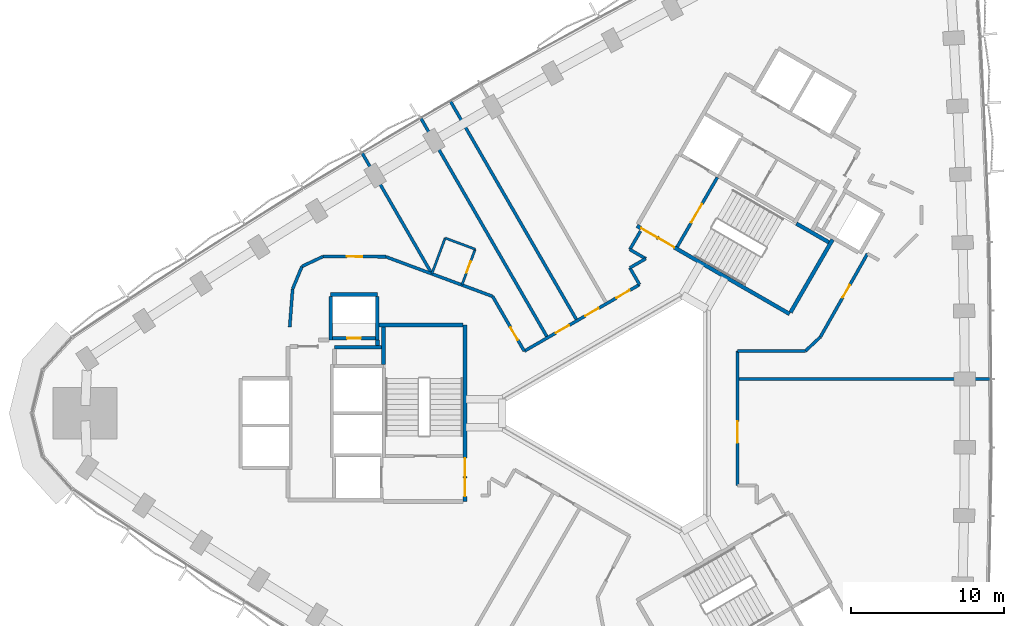
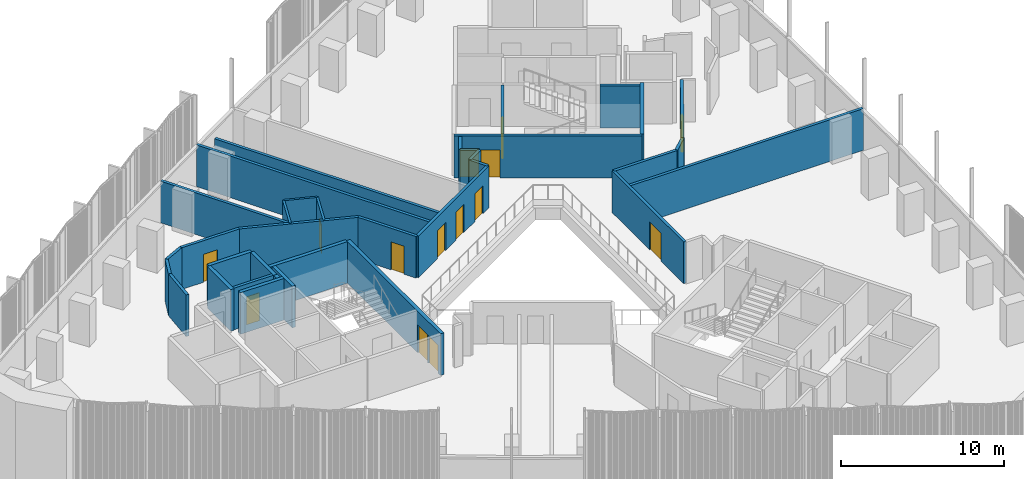
# One storey, part 9 of 15: 35 walls, 14 doors, 14 openings.
"""IFC4 building model written with IfcOpenShell, lengths in metres."""

from ifc_helpers import new_model, si_unit, direction, frame, frame_2d, origin, place, context, subcontext, project, spatial, rectangle, extrude, material, layer, layer_set, type_object, element, fill, save


model = new_model("IFC4")

# Units and contexts
model_context = context("Model", 3, precision=1e-05, world=origin(), true_north=direction((0.0, 1.0)))
body_context = subcontext(model_context, "Body", "Model", "MODEL_VIEW")
ifc_project = project(units=[si_unit("LENGTHUNIT", "METRE"), si_unit("AREAUNIT", "SQUARE_METRE"), si_unit("VOLUMEUNIT", "CUBIC_METRE"), si_unit("PLANEANGLEUNIT", "RADIAN"), si_unit("MASSUNIT", "GRAM", prefix="KILO")], contexts=[model_context])

# Site, building, storey
site_placement = place(None, origin())
site = spatial("IfcSite", under=ifc_project, at=site_placement, CompositionType="ELEMENT")
building_placement = place(site_placement, origin())
building = spatial("IfcBuilding", under=site, at=building_placement, Name="Tamra Quay Hotel Tower", CompositionType="ELEMENT")
storey_placement = place(building_placement, frame((0.0, 0.0, 67.39990234375)))
storey = spatial("IfcBuildingStorey", under=building, at=storey_placement, Name="L15", CompositionType="ELEMENT", Elevation=67.39990234375)

# Wall, opening, door
ifc_material_1 = material(Name="Concrete M70", Category="concrete")
ifc_layer_1 = layer(ifc_material_1, 0.199951171875)
ifc_layer_set_1 = layer_set([ifc_layer_1], Name="Concrete M70 core wall 200")
wall_type_1 = type_object("IfcWallType", Name="Concrete M70 core wall 200", PredefinedType="SHEAR", material=ifc_layer_set_1)
wall_1_placement = place(storey_placement, frame((-19.51123046875, 4.91015625, 0.0), z_axis=(0.0, 0.0, 1.0), x_axis=(1.0, 0.0, 0.0)))
wall_1 = element("IfcWall", 1, at=wall_1_placement, inside=storey, type_object=wall_type_1, Name="CW2", PredefinedType="SHEAR", context=body_context, shape_type="SweptSolid", body=[
    extrude(rectangle(XDim=2.7978515625, YDim=0.199951171875, at=frame_2d((1.39892578125, 0.0))), origin(), (0.0, 0.0, 1.0), 3.125),
])
opening_1_placement = place(wall_1_placement, frame((0.948974609375, 0.0, 0.0)))
opening_1 = element("IfcOpeningElement", 2, at=opening_1_placement, cuts=wall_1, Name="Opening D1", PredefinedType="OPENING", context=body_context, shape_type="SweptSolid", body=[
    extrude(rectangle(XDim=0.89990234375, YDim=2.10009765625, at=frame_2d((0.449951171875, 1.050048828125))), frame((0.0, 0.10986328125, 0.0), z_axis=(0.0, -1.0, 0.0), x_axis=(1.0, 0.0, 0.0)), (0.0, 0.0, 1.0), 0.219970703125),
])
ifc_material_2 = material(Name="Core door D1 900x2100 RH")
door_type_1 = type_object("IfcDoorType", Name="Core door D1 900x2100 RH", OperationType="NOTDEFINED", PredefinedType="DOOR", material=ifc_material_2)
door_1_placement = place(opening_1_placement, origin())
door_1 = element("IfcDoor", 3, at=door_1_placement, inside=storey, type_object=door_type_1, Name="D1", OperationType="SINGLE_SWING_RIGHT", OverallHeight=2.10009765625, OverallWidth=0.89990234375, PredefinedType="DOOR", context=body_context, shape_type="SweptSolid", body=[
    extrude(rectangle(XDim=0.89990234375, YDim=2.10009765625, at=frame_2d((0.449951171875, 1.050048828125))), frame((0.0, 0.02490234375, 0.0), z_axis=(0.0, -1.0, 0.0), x_axis=(1.0, 0.0, 0.0)), (0.0, 0.0, 1.0), 0.050048828125),
])
fill(opening_1, door_1)

wall_2_placement = place(storey_placement, frame((3.056640625, 10.89453125, 0.0), z_axis=(0.0, 0.0, 1.0), x_axis=(0.499989418164, 0.866031513124, 0.0)))
wall_2 = element("IfcWall", 4, at=wall_2_placement, inside=storey, type_object=wall_type_1, Name="CW2", PredefinedType="SHEAR", context=body_context, shape_type="SweptSolid", body=[
    extrude(rectangle(XDim=5.2509765625, YDim=0.199951171875, at=frame_2d((2.62548828125, 0.0))), origin(), (0.0, 0.0, 1.0), 3.125),
])
opening_2_placement = place(wall_2_placement, frame((1.84912109375, 0.0, 0.0)))
opening_2 = element("IfcOpeningElement", 5, at=opening_2_placement, cuts=wall_2, Name="Opening FD2", PredefinedType="OPENING", context=body_context, shape_type="SweptSolid", body=[
    extrude(rectangle(XDim=1.39990234375, YDim=2.10009765625, at=frame_2d((0.699951171875, 1.050048828125))), frame((0.0, 0.10986328125, 0.0), z_axis=(0.0, -1.0, 0.0), x_axis=(1.0, 0.0, 0.0)), (0.0, 0.0, 1.0), 0.219970703125),
])
ifc_material_3 = material(Name="Core door FD2 1400x2100 LH")
door_type_2 = type_object("IfcDoorType", Name="Core door FD2 1400x2100 LH", OperationType="NOTDEFINED", PredefinedType="DOOR", material=ifc_material_3)
door_2_placement = place(opening_2_placement, origin())
door_2 = element("IfcDoor", 6, at=door_2_placement, inside=storey, type_object=door_type_2, Name="FD2", OperationType="SINGLE_SWING_LEFT", OverallHeight=2.10009765625, OverallWidth=1.39990234375, PredefinedType="DOOR", context=body_context, shape_type="SweptSolid", body=[
    extrude(rectangle(XDim=1.39990234375, YDim=2.10009765625, at=frame_2d((0.699951171875, 1.050048828125))), frame((0.0, 0.02490234375, 0.0), z_axis=(0.0, -1.0, 0.0), x_axis=(1.0, 0.0, 0.0)), (0.0, 0.0, 1.0), 0.050048828125),
])
fill(opening_2, door_2)

# Wall, openings, doors
ifc_layer_2 = layer(ifc_material_1, 0.25)
ifc_layer_set_2 = layer_set([ifc_layer_2], Name="Concrete M70 core wall 250")
wall_type_2 = type_object("IfcWallType", Name="Concrete M70 core wall 250", PredefinedType="SHEAR", material=ifc_layer_set_2)
wall_3_placement = place(storey_placement, frame((-10.83740234375, 5.77490234375, 0.0), z_axis=(0.0, 0.0, 1.0), x_axis=(0.0, -1.0, 0.0)))
wall_3 = element("IfcWall", 7, at=wall_3_placement, inside=storey, type_object=wall_type_2, Name="CW1", PredefinedType="SHEAR", context=body_context, shape_type="SweptSolid", body=[
    extrude(rectangle(XDim=11.5498046875, YDim=0.25, at=frame_2d((5.77490234375, 0.0))), origin(), (0.0, 0.0, 1.0), 3.125),
])
opening_3_placement = place(wall_3_placement, frame((10.02490234375, 0.0, 0.0)))
opening_3 = element("IfcOpeningElement", 8, at=opening_3_placement, cuts=wall_3, Name="Opening FD1", PredefinedType="OPENING", context=body_context, shape_type="SweptSolid", body=[
    extrude(rectangle(XDim=1.199951171875, YDim=2.10009765625, at=frame_2d((0.60009765625, 1.050048828125))), frame((0.0, 0.135009765625, 0.0), z_axis=(0.0, -1.0, 0.0), x_axis=(1.0, 0.0, 0.0)), (0.0, 0.0, 1.0), 0.27001953125),
])
opening_4_placement = place(wall_3_placement, frame((8.72509765625, 0.0, 0.0)))
opening_4 = element("IfcOpeningElement", 9, at=opening_4_placement, cuts=wall_3, Name="Opening FD1", PredefinedType="OPENING", context=body_context, shape_type="SweptSolid", body=[
    extrude(rectangle(XDim=1.199951171875, YDim=2.10009765625, at=frame_2d((0.60009765625, 1.050048828125))), frame((0.0, 0.135009765625, 0.0), z_axis=(0.0, -1.0, 0.0), x_axis=(1.0, 0.0, 0.0)), (0.0, 0.0, 1.0), 0.27001953125),
])
ifc_material_4 = material(Name="Core door FD1 1200x2100 LH")
door_type_3 = type_object("IfcDoorType", Name="Core door FD1 1200x2100 LH", OperationType="NOTDEFINED", PredefinedType="DOOR", material=ifc_material_4)
door_3_placement = place(opening_3_placement, origin())
door_3 = element("IfcDoor", 10, at=door_3_placement, inside=storey, type_object=door_type_3, Name="FD1", OperationType="SINGLE_SWING_LEFT", OverallHeight=2.10009765625, OverallWidth=1.199951171875, PredefinedType="DOOR", context=body_context, shape_type="SweptSolid", body=[
    extrude(rectangle(XDim=1.199951171875, YDim=2.10009765625, at=frame_2d((0.60009765625, 1.050048828125))), frame((0.0, 0.02490234375, 0.0), z_axis=(0.0, -1.0, 0.0), x_axis=(1.0, 0.0, 0.0)), (0.0, 0.0, 1.0), 0.050048828125),
])
fill(opening_3, door_3)
ifc_material_5 = material(Name="Core door FD1 1200x2100 RH")
door_type_4 = type_object("IfcDoorType", Name="Core door FD1 1200x2100 RH", OperationType="NOTDEFINED", PredefinedType="DOOR", material=ifc_material_5)
door_4_placement = place(opening_4_placement, origin())
door_4 = element("IfcDoor", 11, at=door_4_placement, inside=storey, type_object=door_type_4, Name="FD1", OperationType="SINGLE_SWING_RIGHT", OverallHeight=2.10009765625, OverallWidth=1.199951171875, PredefinedType="DOOR", context=body_context, shape_type="SweptSolid", body=[
    extrude(rectangle(XDim=1.199951171875, YDim=2.10009765625, at=frame_2d((0.60009765625, 1.050048828125))), frame((0.0, 0.02490234375, 0.0), z_axis=(0.0, -1.0, 0.0), x_axis=(1.0, 0.0, 0.0)), (0.0, 0.0, 1.0), 0.050048828125),
])
fill(opening_4, door_4)

# Walls
wall_4_placement = place(storey_placement, frame((-16.47216796875, 5.77490234375, 0.0), z_axis=(0.0, 0.0, 1.0), x_axis=(1.0, 0.0, 0.0)))
element("IfcWall", 12, at=wall_4_placement, inside=storey, type_object=wall_type_2, Name="CW1", PredefinedType="SHEAR", context=body_context, shape_type="SweptSolid", body=[
    extrude(rectangle(XDim=5.509521484375, YDim=0.25, at=frame_2d((2.7548828125, 0.0))), origin(), (0.0, 0.0, 1.0), 3.125),
])
wall_5_placement = place(storey_placement, frame((-19.63720703125, 7.77490234375, 0.0), z_axis=(0.0, 0.0, 1.0), x_axis=(1.0, 0.0, 0.0)))
element("IfcWall", 13, at=wall_5_placement, inside=storey, type_object=wall_type_2, Name="CW1", PredefinedType="SHEAR", context=body_context, shape_type="SweptSolid", body=[
    extrude(rectangle(XDim=3.0498046875, YDim=0.25, at=frame_2d((1.52490234375, 0.0))), origin(), (0.0, 0.0, 1.0), 3.125),
])
for number, where, z_axis, x_axis, name in (
    (14, (-16.58740234375, 7.649658203125, 0.0), (0.0, 0.0, 1.0), (0.0, -1.0, 0.0), "CW1"),
    (15, (-19.63720703125, 4.784912109375, 0.0), (0.0, 0.0, 1.0), (0.0, 1.0, 0.0), "CW1"),
):
    element("IfcWall", number, at=place(storey_placement, frame(where, z_axis=z_axis, x_axis=x_axis)), inside=storey, type_object=wall_type_2, Name=name, PredefinedType="SHEAR", context=body_context, shape_type="SweptSolid", body=[
        extrude(rectangle(XDim=2.86474609375, YDim=0.25, at=frame_2d((1.432373046875, 0.0))), origin(), (0.0, 0.0, 1.0), 3.125),
    ])
wall_6_placement = place(storey_placement, frame((-16.30224609375, 4.31494140625, 0.0), z_axis=(0.0, 0.0, 1.0), x_axis=(-1.0, 0.0, 0.0)))
element("IfcWall", 16, at=wall_6_placement, inside=storey, type_object=wall_type_2, Name="CW1", PredefinedType="SHEAR", context=body_context, shape_type="SweptSolid", body=[
    extrude(rectangle(XDim=3.0849609375, YDim=0.25, at=frame_2d((1.54248046875, 0.0))), origin(), (0.0, 0.0, 1.0), 3.125),
])
wall_7_placement = place(storey_placement, frame((-16.187255859375, 3.200439453125, 0.0), z_axis=(0.0, 0.0, 1.0), x_axis=(0.0, 1.0, 0.0)))
element("IfcWall", 17, at=wall_7_placement, inside=storey, type_object=wall_type_2, Name="CW1", PredefinedType="SHEAR", context=body_context, shape_type="SweptSolid", body=[
    extrude(rectangle(XDim=2.44921875, YDim=0.25, at=frame_2d((1.224609375, 0.0))), origin(), (0.0, 0.0, 1.0), 3.125),
])
wall_8_placement = place(storey_placement, frame((-16.577392578125, 4.784912109375, 0.0), z_axis=(0.0, 0.0, 1.0), x_axis=(0.0, -1.0, 0.0)))
element("IfcWall", 18, at=wall_8_placement, inside=storey, type_object=wall_type_2, Name="CW1", PredefinedType="SHEAR", context=body_context, shape_type="SweptSolid", body=[
    extrude(rectangle(XDim=0.344482421875, YDim=0.25, at=frame_2d((0.17236328125, 0.0))), origin(), (0.0, 0.0, 1.0), 3.125),
])

# Wall, openings, doors
wall_9_placement = place(storey_placement, frame((10.419921875, 6.497802734375, 0.0), z_axis=(0.0, 0.0, 1.0), x_axis=(-0.866021906294, 0.500006057782, 0.0)))
wall_9 = element("IfcWall", 19, at=wall_9_placement, inside=storey, type_object=wall_type_2, Name="CW1", PredefinedType="SHEAR", context=body_context, shape_type="SweptSolid", body=[
    extrude(rectangle(XDim=11.550048828125, YDim=0.25, at=frame_2d((5.77490234375, 0.0))), origin(), (0.0, 0.0, 1.0), 3.125),
])
opening_5_placement = place(wall_9_placement, frame((10.02490234375, 0.0, 0.0)))
opening_5 = element("IfcOpeningElement", 20, at=opening_5_placement, cuts=wall_9, Name="Opening FD1", PredefinedType="OPENING", context=body_context, shape_type="SweptSolid", body=[
    extrude(rectangle(XDim=1.199951171875, YDim=2.10009765625, at=frame_2d((0.60009765625, 1.050048828125))), frame((0.0, 0.135009765625, 0.0), z_axis=(0.0, -1.0, 0.0), x_axis=(1.0, 0.0, 0.0)), (0.0, 0.0, 1.0), 0.27001953125),
])
opening_6_placement = place(wall_9_placement, frame((8.724853515625, 0.0, 0.0)))
opening_6 = element("IfcOpeningElement", 21, at=opening_6_placement, cuts=wall_9, Name="Opening FD1", PredefinedType="OPENING", context=body_context, shape_type="SweptSolid", body=[
    extrude(rectangle(XDim=1.199951171875, YDim=2.10009765625, at=frame_2d((0.60009765625, 1.050048828125))), frame((0.0, 0.135009765625, 0.0), z_axis=(0.0, -1.0, 0.0), x_axis=(1.0, 0.0, 0.0)), (0.0, 0.0, 1.0), 0.27001953125),
])
door_5_placement = place(opening_5_placement, origin())
door_5 = element("IfcDoor", 22, at=door_5_placement, inside=storey, type_object=door_type_3, Name="FD1", OperationType="SINGLE_SWING_LEFT", OverallHeight=2.10009765625, OverallWidth=1.199951171875, PredefinedType="DOOR", context=body_context, shape_type="SweptSolid", body=[
    extrude(rectangle(XDim=1.199951171875, YDim=2.10009765625, at=frame_2d((0.60009765625, 1.050048828125))), frame((0.0, 0.02490234375, 0.0), z_axis=(0.0, -1.0, 0.0), x_axis=(1.0, 0.0, 0.0)), (0.0, 0.0, 1.0), 0.050048828125),
])
fill(opening_5, door_5)
door_6_placement = place(opening_6_placement, origin())
door_6 = element("IfcDoor", 23, at=door_6_placement, inside=storey, type_object=door_type_4, Name="FD1", OperationType="SINGLE_SWING_RIGHT", OverallHeight=2.10009765625, OverallWidth=1.199951171875, PredefinedType="DOOR", context=body_context, shape_type="SweptSolid", body=[
    extrude(rectangle(XDim=1.199951171875, YDim=2.10009765625, at=frame_2d((0.60009765625, 1.050048828125))), frame((0.0, 0.02490234375, 0.0), z_axis=(0.0, -1.0, 0.0), x_axis=(1.0, 0.0, 0.0)), (0.0, 0.0, 1.0), 0.050048828125),
])
fill(opening_6, door_6)

# Walls
wall_10_placement = place(storey_placement, frame((13.237548828125, 11.3779296875, 0.0), z_axis=(0.0, 0.0, 1.0), x_axis=(-0.500008851346, -0.866020293397, 0.0)))
element("IfcWall", 24, at=wall_10_placement, inside=storey, type_object=wall_type_2, Name="CW1", PredefinedType="SHEAR", context=body_context, shape_type="SweptSolid", body=[
    extrude(rectangle(XDim=5.509765625, YDim=0.25, at=frame_2d((2.7548828125, 0.0))), origin(), (0.0, 0.0, 1.0), 3.125),
])
wall_11_placement = place(storey_placement, frame((10.865234375, 12.41845703125, 0.0), z_axis=(0.0, 0.0, 1.0), x_axis=(0.866026229868, -0.499998569178, 0.0)))
element("IfcWall", 25, at=wall_11_placement, inside=storey, type_object=wall_type_2, Name="CW1", PredefinedType="SHEAR", context=body_context, shape_type="SweptSolid", body=[
    extrude(rectangle(XDim=2.44921875, YDim=0.25, at=frame_2d((1.224609375, 0.0))), origin(), (0.0, 0.0, 1.0), 3.125),
])
ifc_material_6 = material(Name="Partition corridor wall")
ifc_layer_3 = layer(ifc_material_6, 0.199951171875)
ifc_layer_set_3 = layer_set([ifc_layer_3], Name="Partition corridor wall")
wall_type_3 = type_object("IfcWallType", Name="Partition corridor wall", PredefinedType="PARTITIONING", material=ifc_layer_set_3)
wall_12_placement = place(storey_placement, frame((-22.135009765625, 8.1298828125, 0.0), z_axis=(0.0, 0.0, 1.0), x_axis=(-0.076073461031, -0.997102215686, 0.0)))
element("IfcWall", 26, at=wall_12_placement, inside=storey, type_object=wall_type_3, Name="W-C", PredefinedType="PARTITIONING", context=body_context, shape_type="SweptSolid", body=[
    extrude(rectangle(XDim=2.4873046875, YDim=0.199951171875, at=frame_2d((1.24365234375, 0.0))), origin(), (0.0, 0.0, 1.0), 3.125),
])
wall_13_placement = place(storey_placement, frame((-22.135009765625, 8.134033203125, 0.0), z_axis=(0.0, 0.0, 1.0), x_axis=(0.383208453534, 0.923661886807, 0.0)))
element("IfcWall", 27, at=wall_13_placement, inside=storey, type_object=wall_type_3, Name="W-C", PredefinedType="PARTITIONING", context=body_context, shape_type="SweptSolid", body=[
    extrude(rectangle(XDim=1.602294921875, YDim=0.199951171875, at=frame_2d((0.80126953125, 0.0))), origin(), (0.0, 0.0, 1.0), 3.125),
])
wall_14_placement = place(storey_placement, frame((-21.52099609375, 9.614013671875, 0.0), z_axis=(0.0, 0.0, 1.0), x_axis=(0.904083527367, 0.427355795028, 0.0)))
element("IfcWall", 28, at=wall_14_placement, inside=storey, type_object=wall_type_3, Name="W-C", PredefinedType="PARTITIONING", context=body_context, shape_type="SweptSolid", body=[
    extrude(rectangle(XDim=1.52294921875, YDim=0.199951171875, at=frame_2d((0.761474609375, 0.0))), origin(), (0.0, 0.0, 1.0), 3.125),
])

# Wall, opening, door
wall_15_placement = place(storey_placement, frame((-20.14306640625, 10.26611328125, 0.0), z_axis=(0.0, 0.0, 1.0), x_axis=(0.999989297417, -0.004626559416, 0.0)))
wall_15 = element("IfcWall", 29, at=wall_15_placement, inside=storey, type_object=wall_type_3, Name="W-C", PredefinedType="PARTITIONING", context=body_context, shape_type="SweptSolid", body=[
    extrude(rectangle(XDim=4.115966796875, YDim=0.199951171875, at=frame_2d((2.05810546875, 0.0))), origin(), (0.0, 0.0, 1.0), 3.125),
])
opening_7_placement = place(wall_15_placement, frame((1.55810546875, 0.0, 0.0)))
opening_7 = element("IfcOpeningElement", 30, at=opening_7_placement, cuts=wall_15, Name="Opening L15-D008", PredefinedType="OPENING", context=body_context, shape_type="SweptSolid", body=[
    extrude(rectangle(XDim=1.0, YDim=2.10009765625, at=frame_2d((0.5, 1.050048828125))), frame((0.0, 0.10986328125, 0.0), z_axis=(0.0, -1.0, 0.0), x_axis=(1.0, 0.0, 0.0)), (0.0, 0.0, 1.0), 0.219970703125),
])
ifc_material_7 = material(Name="Door guest room 1000x2100")
door_type_5 = type_object("IfcDoorType", Name="Door guest room 1000x2100", OperationType="NOTDEFINED", PredefinedType="DOOR", material=ifc_material_7)
door_7_placement = place(opening_7_placement, origin())
door_7 = element("IfcDoor", 31, at=door_7_placement, inside=storey, type_object=door_type_5, Name="L15-D008", OperationType="SINGLE_SWING_LEFT", OverallHeight=2.10009765625, OverallWidth=1.0, PredefinedType="DOOR", context=body_context, shape_type="SweptSolid", body=[
    extrude(rectangle(XDim=1.0, YDim=2.10009765625, at=frame_2d((0.5, 1.050048828125))), frame((0.0, 0.02490234375, 0.0), z_axis=(0.0, -1.0, 0.0), x_axis=(1.0, 0.0, 0.0)), (0.0, 0.0, 1.0), 0.050048828125),
])
fill(opening_7, door_7)

# Wall
wall_16_placement = place(storey_placement, frame((-16.026123046875, 10.245849609375, 0.0), z_axis=(0.0, 0.0, 1.0), x_axis=(0.937587564203, -0.34774927671, 0.0)))
element("IfcWall", 32, at=wall_16_placement, inside=storey, type_object=wall_type_3, Name="W-C", PredefinedType="PARTITIONING", context=body_context, shape_type="SweptSolid", body=[
    extrude(rectangle(XDim=7.458740234375, YDim=0.199951171875, at=frame_2d((3.7294921875, 0.0))), origin(), (0.0, 0.0, 1.0), 3.125),
])

# Wall, opening, door
wall_17_placement = place(storey_placement, frame((-9.032958984375, 7.652099609375, 0.0), z_axis=(0.0, 0.0, 1.0), x_axis=(0.500074377092, -0.865982457891, 0.0)))
wall_17 = element("IfcWall", 33, at=wall_17_placement, inside=storey, type_object=wall_type_3, Name="W-C", PredefinedType="PARTITIONING", context=body_context, shape_type="SweptSolid", body=[
    extrude(rectangle(XDim=4.143310546875, YDim=0.199951171875, at=frame_2d((2.07177734375, 0.0))), origin(), (0.0, 0.0, 1.0), 3.125),
])
opening_8_placement = place(wall_17_placement, frame((2.35009765625, 0.0, 0.0)))
opening_8 = element("IfcOpeningElement", 34, at=opening_8_placement, cuts=wall_17, Name="Opening L15-D006", PredefinedType="OPENING", context=body_context, shape_type="SweptSolid", body=[
    extrude(rectangle(XDim=0.949951171875, YDim=2.10009765625, at=frame_2d((0.47509765625, 1.050048828125))), frame((0.0, 0.10986328125, 0.0), z_axis=(0.0, -1.0, 0.0), x_axis=(1.0, 0.0, 0.0)), (0.0, 0.0, 1.0), 0.219970703125),
])
ifc_material_8 = material(Name="Door guest room 950x2100")
door_type_6 = type_object("IfcDoorType", Name="Door guest room 950x2100", OperationType="NOTDEFINED", PredefinedType="DOOR", material=ifc_material_8)
door_8_placement = place(opening_8_placement, frame((0.949951171875, 0.0, 0.0), z_axis=(0.0, 0.0, 1.0), x_axis=(-1.0, 0.0, 0.0)))
door_8 = element("IfcDoor", 35, at=door_8_placement, inside=storey, type_object=door_type_6, Name="L15-D006", OperationType="SINGLE_SWING_LEFT", OverallHeight=2.10009765625, OverallWidth=0.949951171875, PredefinedType="DOOR", context=body_context, shape_type="SweptSolid", body=[
    extrude(rectangle(XDim=0.949951171875, YDim=2.10009765625, at=frame_2d((0.47509765625, 1.050048828125))), frame((0.0, 0.02490234375, 0.0), z_axis=(0.0, -1.0, 0.0), x_axis=(1.0, 0.0, 0.0)), (0.0, 0.0, 1.0), 0.050048828125),
])
fill(opening_8, door_8)

# Wall, openings, doors
wall_18_placement = place(storey_placement, frame((-6.960693359375, 4.0634765625, 0.0), z_axis=(0.0, 0.0, 1.0), x_axis=(0.865988777627, 0.500063433, 0.0)))
wall_18 = element("IfcWall", 36, at=wall_18_placement, inside=storey, type_object=wall_type_3, Name="W-C", PredefinedType="PARTITIONING", context=body_context, shape_type="SweptSolid", body=[
    extrude(rectangle(XDim=8.718017578125, YDim=0.199951171875, at=frame_2d((4.35888671875, 0.0))), origin(), (0.0, 0.0, 1.0), 3.125),
])
opening_9_placement = place(wall_18_placement, frame((6.968994140625, 0.0, 0.0)))
opening_9 = element("IfcOpeningElement", 37, at=opening_9_placement, cuts=wall_18, Name="Opening L15-D003", PredefinedType="OPENING", context=body_context, shape_type="SweptSolid", body=[
    extrude(rectangle(XDim=1.0, YDim=2.10009765625, at=frame_2d((0.5, 1.050048828125))), frame((0.0, 0.10986328125, 0.0), z_axis=(0.0, -1.0, 0.0), x_axis=(1.0, 0.0, 0.0)), (0.0, 0.0, 1.0), 0.219970703125),
])
opening_10_placement = place(wall_18_placement, frame((4.614013671875, 0.0, 0.0)))
opening_10 = element("IfcOpeningElement", 38, at=opening_10_placement, cuts=wall_18, Name="Opening L15-D004", PredefinedType="OPENING", context=body_context, shape_type="SweptSolid", body=[
    extrude(rectangle(XDim=1.0, YDim=2.10009765625, at=frame_2d((0.5, 1.050048828125))), frame((0.0, 0.10986328125, 0.0), z_axis=(0.0, -1.0, 0.0), x_axis=(1.0, 0.0, 0.0)), (0.0, 0.0, 1.0), 0.219970703125),
])
opening_11_placement = place(wall_18_placement, frame((2.37890625, 0.0, 0.0)))
opening_11 = element("IfcOpeningElement", 39, at=opening_11_placement, cuts=wall_18, Name="Opening L15-D005", PredefinedType="OPENING", context=body_context, shape_type="SweptSolid", body=[
    extrude(rectangle(XDim=1.0, YDim=2.10009765625, at=frame_2d((0.5, 1.050048828125))), frame((0.0, 0.10986328125, 0.0), z_axis=(0.0, -1.0, 0.0), x_axis=(1.0, 0.0, 0.0)), (0.0, 0.0, 1.0), 0.219970703125),
])
door_9_placement = place(opening_9_placement, origin())
door_9 = element("IfcDoor", 40, at=door_9_placement, inside=storey, type_object=door_type_5, Name="L15-D003", OperationType="SINGLE_SWING_LEFT", OverallHeight=2.10009765625, OverallWidth=1.0, PredefinedType="DOOR", context=body_context, shape_type="SweptSolid", body=[
    extrude(rectangle(XDim=1.0, YDim=2.10009765625, at=frame_2d((0.5, 1.050048828125))), frame((0.0, 0.02490234375, 0.0), z_axis=(0.0, -1.0, 0.0), x_axis=(1.0, 0.0, 0.0)), (0.0, 0.0, 1.0), 0.050048828125),
])
fill(opening_9, door_9)
door_10_placement = place(opening_10_placement, origin())
door_10 = element("IfcDoor", 41, at=door_10_placement, inside=storey, type_object=door_type_5, Name="L15-D004", OperationType="SINGLE_SWING_LEFT", OverallHeight=2.10009765625, OverallWidth=1.0, PredefinedType="DOOR", context=body_context, shape_type="SweptSolid", body=[
    extrude(rectangle(XDim=1.0, YDim=2.10009765625, at=frame_2d((0.5, 1.050048828125))), frame((0.0, 0.02490234375, 0.0), z_axis=(0.0, -1.0, 0.0), x_axis=(1.0, 0.0, 0.0)), (0.0, 0.0, 1.0), 0.050048828125),
])
fill(opening_10, door_10)
door_11_placement = place(opening_11_placement, origin())
door_11 = element("IfcDoor", 42, at=door_11_placement, inside=storey, type_object=door_type_5, Name="L15-D005", OperationType="SINGLE_SWING_LEFT", OverallHeight=2.10009765625, OverallWidth=1.0, PredefinedType="DOOR", context=body_context, shape_type="SweptSolid", body=[
    extrude(rectangle(XDim=1.0, YDim=2.10009765625, at=frame_2d((0.5, 1.050048828125))), frame((0.0, 0.02490234375, 0.0), z_axis=(0.0, -1.0, 0.0), x_axis=(1.0, 0.0, 0.0)), (0.0, 0.0, 1.0), 0.050048828125),
])
fill(opening_11, door_11)

# Walls
wall_19_placement = place(storey_placement, frame((-0.044921875, 9.52197265625, 0.0), z_axis=(0.0, 0.0, 1.0), x_axis=(0.86625675314, 0.499599076899, 0.0)))
element("IfcWall", 43, at=wall_19_placement, inside=storey, type_object=wall_type_3, Name="W-C", PredefinedType="PARTITIONING", context=body_context, shape_type="SweptSolid", body=[
    extrude(rectangle(XDim=1.19921875, YDim=0.199951171875, at=frame_2d((0.599609375, 0.0))), origin(), (0.0, 0.0, 1.0), 3.125),
])
wall_20_placement = place(storey_placement, frame((-0.044921875, 10.721923828125, 0.0), z_axis=(0.0, 0.0, 1.0), x_axis=(0.500107785535, 0.865963164833, 0.0)))
element("IfcWall", 44, at=wall_20_placement, inside=storey, type_object=wall_type_3, Name="W-C", PredefinedType="PARTITIONING", context=body_context, shape_type="SweptSolid", body=[
    extrude(rectangle(XDim=1.389404296875, YDim=0.199951171875, at=frame_2d((0.69482421875, 0.0))), origin(), (0.0, 0.0, 1.0), 3.125),
])
wall_21_placement = place(storey_placement, frame((-0.044921875, 9.52099609375, 0.0), z_axis=(0.0, 0.0, 1.0), x_axis=(0.500094716449, -0.865970712311, 0.0)))
element("IfcWall", 45, at=wall_21_placement, inside=storey, type_object=wall_type_3, Name="W-C", PredefinedType="PARTITIONING", context=body_context, shape_type="SweptSolid", body=[
    extrude(rectangle(XDim=1.267822265625, YDim=0.199951171875, at=frame_2d((0.6337890625, 0.0))), origin(), (0.0, 0.0, 1.0), 3.125),
])
wall_22_placement = place(storey_placement, frame((-0.044921875, 10.720947265625, 0.0), z_axis=(0.0, 0.0, 1.0), x_axis=(0.865992388649, -0.500057179532, 0.0)))
element("IfcWall", 46, at=wall_22_placement, inside=storey, type_object=wall_type_3, Name="W-C", PredefinedType="PARTITIONING", context=body_context, shape_type="SweptSolid", body=[
    extrude(rectangle(XDim=1.199462890625, YDim=0.199951171875, at=frame_2d((0.599609375, 0.0))), origin(), (0.0, 0.0, 1.0), 3.125),
])

# Wall, opening, door
wall_23_placement = place(storey_placement, frame((7.0, -4.720947265625, 0.0), z_axis=(0.0, 0.0, 1.0), x_axis=(0.0, 1.0, 0.0)))
wall_23 = element("IfcWall", 47, at=wall_23_placement, inside=storey, type_object=wall_type_3, Name="W-C", PredefinedType="PARTITIONING", context=body_context, shape_type="SweptSolid", body=[
    extrude(rectangle(XDim=8.798828125, YDim=0.199951171875, at=frame_2d((4.3994140625, 0.0))), origin(), (0.0, 0.0, 1.0), 3.125),
])
opening_12_placement = place(wall_23_placement, frame((2.783935546875, 0.0, 0.0)))
opening_12 = element("IfcOpeningElement", 48, at=opening_12_placement, cuts=wall_23, Name="Opening L15-D001", PredefinedType="OPENING", context=body_context, shape_type="SweptSolid", body=[
    extrude(rectangle(XDim=1.39990234375, YDim=2.10009765625, at=frame_2d((0.699951171875, 1.050048828125))), frame((0.0, 0.10986328125, 0.0), z_axis=(0.0, -1.0, 0.0), x_axis=(1.0, 0.0, 0.0)), (0.0, 0.0, 1.0), 0.219970703125),
])
ifc_material_9 = material(Name="Door double leaf 1400x2100")
door_type_7 = type_object("IfcDoorType", Name="Door double leaf 1400x2100", OperationType="DOUBLE_DOOR_SINGLE_SWING", PredefinedType="DOOR", material=ifc_material_9)
door_12_placement = place(opening_12_placement, frame((1.39990234375, 0.0, 0.0), z_axis=(0.0, 0.0, 1.0), x_axis=(-1.0, 0.0, 0.0)))
door_12 = element("IfcDoor", 49, at=door_12_placement, inside=storey, type_object=door_type_7, Name="L15-D001", OperationType="DOUBLE_DOOR_SINGLE_SWING", OverallHeight=2.10009765625, OverallWidth=1.39990234375, PredefinedType="DOOR", context=body_context, shape_type="SweptSolid", body=[
    extrude(rectangle(XDim=1.39990234375, YDim=2.10009765625, at=frame_2d((0.699951171875, 1.050048828125))), frame((0.0, 0.02490234375, 0.0), z_axis=(0.0, -1.0, 0.0), x_axis=(1.0, 0.0, 0.0)), (0.0, 0.0, 1.0), 0.050048828125),
])
fill(opening_12, door_12)

# Walls
wall_24_placement = place(storey_placement, frame((7.0, 4.077880859375, 0.0), z_axis=(0.0, 0.0, 1.0), x_axis=(1.0, 0.0, 0.0)))
element("IfcWall", 50, at=wall_24_placement, inside=storey, type_object=wall_type_3, Name="W-C", PredefinedType="PARTITIONING", context=body_context, shape_type="SweptSolid", body=[
    extrude(rectangle(XDim=4.4580078125, YDim=0.199951171875, at=frame_2d((2.22900390625, 0.0))), origin(), (0.0, 0.0, 1.0), 3.125),
])
wall_25_placement = place(storey_placement, frame((11.4580078125, 4.077880859375, 0.0), z_axis=(0.0, 0.0, 1.0), x_axis=(0.729936032318, 0.683515463412, 0.0)))
element("IfcWall", 51, at=wall_25_placement, inside=storey, type_object=wall_type_3, Name="W-C", PredefinedType="PARTITIONING", context=body_context, shape_type="SweptSolid", body=[
    extrude(rectangle(XDim=1.3359375, YDim=0.199951171875, at=frame_2d((0.66796875, 0.0))), origin(), (0.0, 0.0, 1.0), 3.125),
])

# Wall, opening, door
wall_26_placement = place(storey_placement, frame((12.43310546875, 4.991943359375, 0.0), z_axis=(0.0, 0.0, 1.0), x_axis=(0.492575945335, 0.870269462912, 0.0)))
wall_26 = element("IfcWall", 52, at=wall_26_placement, inside=storey, type_object=wall_type_3, Name="W-C", PredefinedType="PARTITIONING", context=body_context, shape_type="SweptSolid", body=[
    extrude(rectangle(XDim=6.264892578125, YDim=0.199951171875, at=frame_2d((3.13232421875, 0.0))), origin(), (0.0, 0.0, 1.0), 3.125),
])
opening_13_placement = place(wall_26_placement, frame((2.96484375, 0.0, 0.0)))
opening_13 = element("IfcOpeningElement", 53, at=opening_13_placement, cuts=wall_26, Name="Opening L15-D002", PredefinedType="OPENING", context=body_context, shape_type="SweptSolid", body=[
    extrude(rectangle(XDim=0.949951171875, YDim=2.10009765625, at=frame_2d((0.47509765625, 1.050048828125))), frame((0.0, 0.10986328125, 0.0), z_axis=(0.0, -1.0, 0.0), x_axis=(1.0, 0.0, 0.0)), (0.0, 0.0, 1.0), 0.219970703125),
])
door_13_placement = place(opening_13_placement, frame((0.949951171875, 0.0, 0.0), z_axis=(0.0, 0.0, 1.0), x_axis=(-1.0, 0.0, 0.0)))
door_13 = element("IfcDoor", 54, at=door_13_placement, inside=storey, type_object=door_type_6, Name="L15-D002", OperationType="SINGLE_SWING_LEFT", OverallHeight=2.10009765625, OverallWidth=0.949951171875, PredefinedType="DOOR", context=body_context, shape_type="SweptSolid", body=[
    extrude(rectangle(XDim=0.949951171875, YDim=2.10009765625, at=frame_2d((0.47509765625, 1.050048828125))), frame((0.0, 0.02490234375, 0.0), z_axis=(0.0, -1.0, 0.0), x_axis=(1.0, 0.0, 0.0)), (0.0, 0.0, 1.0), 0.050048828125),
])
fill(opening_13, door_13)

# Walls
ifc_material_10 = material(Name="Partition en-suite wall")
ifc_layer_4 = layer(ifc_material_10, 0.14990234375)
ifc_layer_set_4 = layer_set([ifc_layer_4], Name="Partition en-suite wall")
wall_type_4 = type_object("IfcWallType", Name="Partition en-suite wall", PredefinedType="PARTITIONING", material=ifc_layer_set_4)
wall_27_placement = place(storey_placement, frame((-13.012939453125, 9.12890625, 0.0), z_axis=(0.0, 0.0, 1.0), x_axis=(0.347921729873, 0.937523583641, 0.0)))
element("IfcWall", 55, at=wall_27_placement, inside=storey, type_object=wall_type_4, Name="W-E", PredefinedType="PARTITIONING", context=body_context, shape_type="SweptSolid", body=[
    extrude(rectangle(XDim=2.500244140625, YDim=0.14990234375, at=frame_2d((1.25, 0.0))), origin(), (0.0, 0.0, 1.0), 3.125),
])
wall_28_placement = place(storey_placement, frame((-12.14306640625, 11.472900390625, 0.0), z_axis=(0.0, 0.0, 1.0), x_axis=(0.937484879804, -0.348026004976, 0.0)))
element("IfcWall", 56, at=wall_28_placement, inside=storey, type_object=wall_type_4, Name="W-E", PredefinedType="PARTITIONING", context=body_context, shape_type="SweptSolid", body=[
    extrude(rectangle(XDim=2.100341796875, YDim=0.14990234375, at=frame_2d((1.05029296875, 0.0))), origin(), (0.0, 0.0, 1.0), 3.125),
])

# Wall, opening, door
wall_29_placement = place(storey_placement, frame((-11.0439453125, 8.39794921875, 0.0), z_axis=(0.0, 0.0, 1.0), x_axis=(0.347921729873, 0.937523583641, 0.0)))
wall_29 = element("IfcWall", 57, at=wall_29_placement, inside=storey, type_object=wall_type_4, Name="W-E", PredefinedType="PARTITIONING", context=body_context, shape_type="SweptSolid", body=[
    extrude(rectangle(XDim=2.500244140625, YDim=0.14990234375, at=frame_2d((1.25, 0.0))), origin(), (0.0, 0.0, 1.0), 3.125),
])
opening_14_placement = place(wall_29_placement, frame((0.850341796875, 0.0, 0.0)))
opening_14 = element("IfcOpeningElement", 58, at=opening_14_placement, cuts=wall_29, Name="Opening L15-D007", PredefinedType="OPENING", context=body_context, shape_type="SweptSolid", body=[
    extrude(rectangle(XDim=0.800048828125, YDim=2.10009765625, at=frame_2d((0.39990234375, 1.050048828125))), frame((0.0, 0.0849609375, 0.0), z_axis=(0.0, -1.0, 0.0), x_axis=(1.0, 0.0, 0.0)), (0.0, 0.0, 1.0), 0.169921875),
])
ifc_material_11 = material(Name="Door en-suite 800x2100")
door_type_8 = type_object("IfcDoorType", Name="Door en-suite 800x2100", OperationType="NOTDEFINED", PredefinedType="DOOR", material=ifc_material_11)
door_14_placement = place(opening_14_placement, origin())
door_14 = element("IfcDoor", 59, at=door_14_placement, inside=storey, type_object=door_type_8, Name="L15-D007", OperationType="SINGLE_SWING_LEFT", OverallHeight=2.10009765625, OverallWidth=0.800048828125, PredefinedType="DOOR", context=body_context, shape_type="SweptSolid", body=[
    extrude(rectangle(XDim=0.800048828125, YDim=2.10009765625, at=frame_2d((0.39990234375, 1.050048828125))), frame((0.0, 0.02490234375, 0.0), z_axis=(0.0, -1.0, 0.0), x_axis=(1.0, 0.0, 0.0)), (0.0, 0.0, 1.0), 0.050048828125),
])
fill(opening_14, door_14)

# Walls
ifc_material_12 = material(Name="Partition party wall")
ifc_layer_5 = layer(ifc_material_12, 0.199951171875)
ifc_layer_set_5 = layer_set([ifc_layer_5], Name="Partition party wall")
wall_type_5 = type_object("IfcWallType", Name="Partition party wall", PredefinedType="PARTITIONING", material=ifc_layer_set_5)
wall_30_placement = place(storey_placement, frame((-17.589599609375, 17.05517578125, 0.0), z_axis=(0.0, 0.0, 1.0), x_axis=(0.500034932695, -0.866005234444, 0.0)))
element("IfcWall", 60, at=wall_30_placement, inside=storey, type_object=wall_type_5, Name="W-P", PredefinedType="PARTITIONING", context=body_context, shape_type="SweptSolid", body=[
    extrude(rectangle(XDim=9.152587890625, YDim=0.199951171875, at=frame_2d((4.576171875, 0.0))), origin(), (0.0, 0.0, 1.0), 3.125),
])
wall_31_placement = place(storey_placement, frame((-13.74267578125, 19.33203125, 0.0), z_axis=(0.0, 0.0, 1.0), x_axis=(0.500014614896, -0.866016965706, 0.0)))
element("IfcWall", 61, at=wall_31_placement, inside=storey, type_object=wall_type_5, Name="W-P", PredefinedType="PARTITIONING", context=body_context, shape_type="SweptSolid", body=[
    extrude(rectangle(XDim=16.61279296875, YDim=0.199951171875, at=frame_2d((8.306396484375, 0.0))), origin(), (0.0, 0.0, 1.0), 3.125),
])
wall_32_placement = place(storey_placement, frame((-11.806396484375, 20.449951171875, 0.0), z_axis=(0.0, 0.0, 1.0), x_axis=(0.499978139694, -0.86603802447, 0.0)))
element("IfcWall", 62, at=wall_32_placement, inside=storey, type_object=wall_type_5, Name="W-P", PredefinedType="PARTITIONING", context=body_context, shape_type="SweptSolid", body=[
    extrude(rectangle(XDim=16.613525390625, YDim=0.199951171875, at=frame_2d((8.306640625, 0.0))), origin(), (0.0, 0.0, 1.0), 2.22509765625),
])
wall_33_placement = place(storey_placement, frame((7.0009765625, 2.235107421875, 0.0), z_axis=(0.0, 0.0, 1.0), x_axis=(1.0, 0.0, 0.0)))
element("IfcWall", 63, at=wall_33_placement, inside=storey, type_object=wall_type_5, Name="W-P", PredefinedType="PARTITIONING", context=body_context, shape_type="SweptSolid", body=[
    extrude(rectangle(XDim=16.6123046875, YDim=0.199951171875, at=frame_2d((8.30615234375, 0.0))), origin(), (0.0, 0.0, 1.0), 3.125),
])

save(model, "model.ifc")
